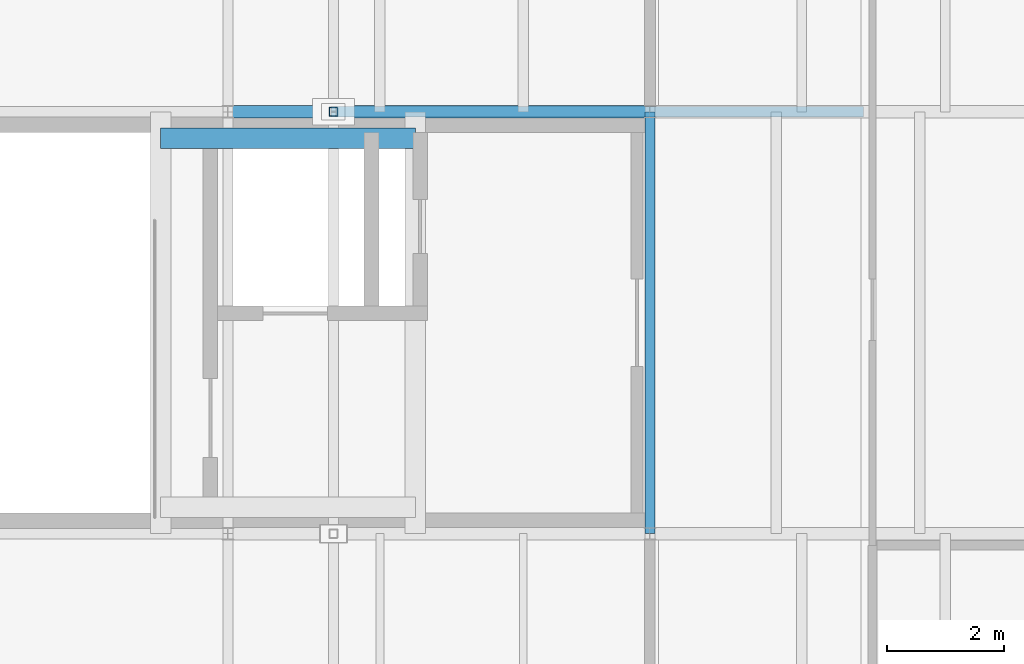
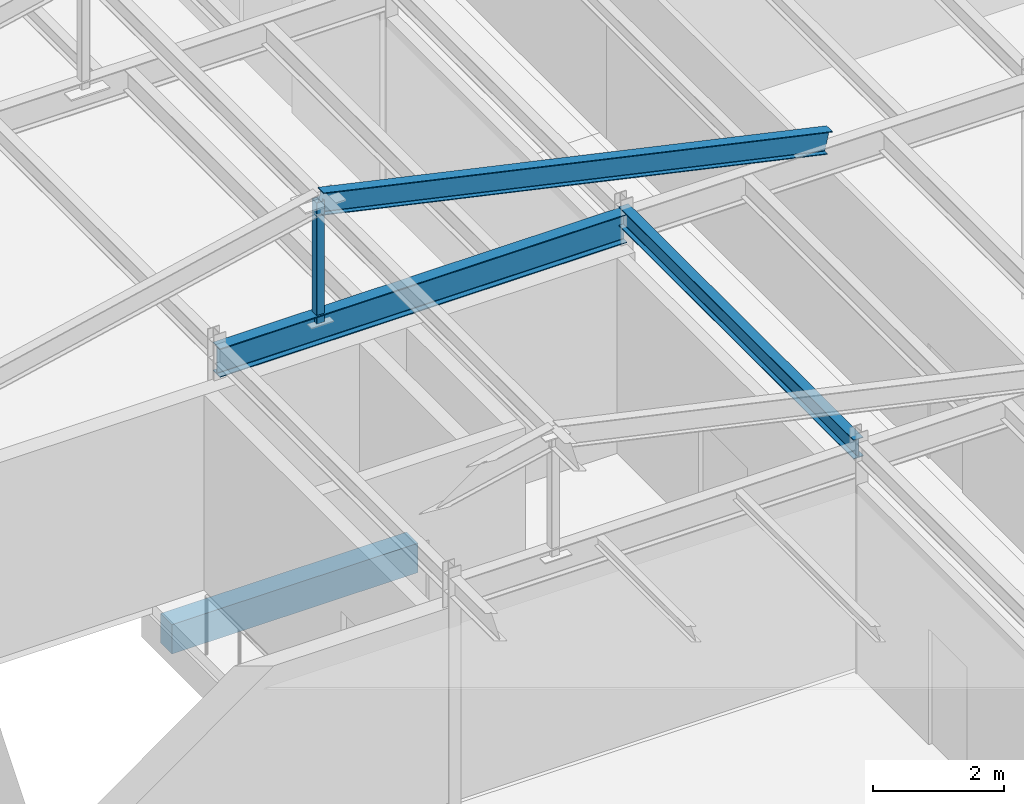
# One storey, part 16 of 43: 4 beams, 1 member.
"""IFC4 building model written with IfcOpenShell, lengths in metres."""

from ifc_helpers import new_model, si_unit, direction, frame, origin, origin_2d, place, context, subcontext, project, spatial, rectangle, hollow_rectangle, i_section, extrude, material, material_profile, profile_set, type_object, element, save


model = new_model("IFC4")

# Units and contexts
model_context = context("Model", 3, precision=1e-05, world=origin(), true_north=direction((0.0, 1.0)))
body_context = subcontext(model_context, "Body", "Model", "MODEL_VIEW")
ifc_project = project(units=[si_unit("LENGTHUNIT", "METRE"), si_unit("AREAUNIT", "SQUARE_METRE"), si_unit("VOLUMEUNIT", "CUBIC_METRE"), si_unit("PLANEANGLEUNIT", "RADIAN"), si_unit("MASSUNIT", "GRAM", prefix="KILO")], contexts=[model_context])

# Site, building, storey
site_placement = place(None, origin())
site = spatial("IfcSite", under=ifc_project, at=site_placement, CompositionType="ELEMENT")
building_placement = place(site_placement, origin())
building = spatial("IfcBuilding", under=site, at=building_placement, Name="Kemerveld Promenade Tramway Depot", CompositionType="ELEMENT")
storey_placement = place(building_placement, frame((0.0, 0.0, 18.89990234375)))
storey = spatial("IfcBuildingStorey", under=building, at=storey_placement, Name="L04", CompositionType="ELEMENT", Elevation=18.89990234375)

# Beams
ifc_material_1 = material(Name="Steel S355", Category="steel")
ifc_material_profile_1 = material_profile(ifc_material_1, i_section(OverallWidth=0.2099609375, OverallDepth=0.53662109375, WebThickness=0.0107421875, FlangeThickness=0.017333984375, FilletRadius=0.0126953125, at=origin_2d()), Name="533x210x101 UB")
ifc_profile_set_1 = profile_set([ifc_material_profile_1], Name="Steel S355")
beam_type_1 = type_object("IfcBeamType", Name="BM-G05", PredefinedType="BEAM", material=ifc_profile_set_1)
beam_1_placement = place(storey_placement, frame((7.199951171875, 21.60009765625, 3.94677734375), z_axis=(1.0, 0.0, 0.0), x_axis=(0.0, 1.0, 0.0)))
element("IfcBeam", 1, at=beam_1_placement, inside=storey, type_object=beam_type_1, Name="BMX-L04-02-03-D", PredefinedType="BEAM", context=body_context, shape_type="SweptSolid", body=[
    extrude(i_section(OverallWidth=0.2099609375, OverallDepth=0.53662109375, WebThickness=0.0107421875, FlangeThickness=0.017333984375, FilletRadius=0.0126953125, at=origin_2d()), origin(), (0.0, 0.0, 1.0), 7.199951171875),
])
ifc_material_profile_2 = material_profile(ifc_material_1, i_section(OverallWidth=0.1787109375, OverallDepth=0.409423828125, WebThickness=0.0087890625, FlangeThickness=0.014404296875, FilletRadius=0.01025390625, at=origin_2d()), Name="406x178x67 UB")
ifc_profile_set_2 = profile_set([ifc_material_profile_2], Name="Steel S355")
beam_type_2 = type_object("IfcBeamType", Name="BM-G07", PredefinedType="BEAM", material=ifc_profile_set_2)
beam_2_placement = place(storey_placement, frame((9.0, 21.60009765625, 6.275390625), z_axis=(0.976187060184, 0.0, -0.216930457819), x_axis=(0.0, 1.0, 0.0)))
element("IfcBeam", 2, at=beam_2_placement, inside=storey, type_object=beam_type_2, Name="RAF-V5-D-E", PredefinedType="BEAM", context=body_context, shape_type="SweptSolid", body=[
    extrude(i_section(OverallWidth=0.1787109375, OverallDepth=0.409423828125, WebThickness=0.0087890625, FlangeThickness=0.014404296875, FilletRadius=0.01025390625, at=origin_2d()), origin(), (0.0, 0.0, 1.0), 9.219482421875),
])
ifc_material_profile_3 = material_profile(ifc_material_1, i_section(OverallWidth=0.172119140625, OverallDepth=0.35791015625, WebThickness=0.008056640625, FlangeThickness=0.012939453125, FilletRadius=0.01025390625, at=origin_2d()), Name="356x171x57 UB")
ifc_profile_set_3 = profile_set([ifc_material_profile_3], Name="Steel S355")
beam_type_3 = type_object("IfcBeamType", Name="BM-G08", PredefinedType="BEAM", material=ifc_profile_set_3)
beam_3_placement = place(storey_placement, frame((14.39990234375, 14.39990234375, 4.14111328125), z_axis=(0.0, 1.0, 0.0), x_axis=(-1.0, 0.0, 0.0)))
element("IfcBeam", 3, at=beam_3_placement, inside=storey, type_object=beam_type_3, Name="BMY-L04-03-C-D", PredefinedType="BEAM", context=body_context, shape_type="SweptSolid", body=[
    extrude(i_section(OverallWidth=0.172119140625, OverallDepth=0.35791015625, WebThickness=0.008056640625, FlangeThickness=0.012939453125, FilletRadius=0.01025390625, at=origin_2d()), origin(), (0.0, 0.0, 1.0), 7.2001953125),
])
ifc_material_2 = material(Name="Concrete C40/50", Category="concrete")
ifc_material_profile_4 = material_profile(ifc_material_2, rectangle(XDim=0.35009765625, YDim=0.550048828125, at=origin_2d()), Name="RC-BM-350x550")
ifc_profile_set_4 = profile_set([ifc_material_profile_4], Name="Concrete C40/50")
beam_type_4 = type_object("IfcBeamType", Name="BM-RC3", PredefinedType="BEAM", material=ifc_profile_set_4)
beam_4_placement = place(storey_placement, frame((6.050048828125, 21.14990234375, -0.5), z_axis=(1.0, 0.0, 0.0), x_axis=(0.0, 1.0, 0.0)))
element("IfcBeam", 4, at=beam_4_placement, inside=storey, type_object=beam_type_4, Name="BM-COREX-C1-L04-N", PredefinedType="BEAM", context=body_context, shape_type="SweptSolid", body=[
    extrude(rectangle(XDim=0.35009765625, YDim=0.550048828125, at=origin_2d()), origin(), (0.0, 0.0, 1.0), 4.349853515625),
])

# Member
ifc_material_profile_5 = material_profile(ifc_material_1, hollow_rectangle(XDim=0.14990234375, YDim=0.14990234375, WallThickness=0.008056640625, InnerFilletRadius=0.00390625, OuterFilletRadius=0.011962890625, at=origin_2d()), Name="150x150x8.0 SHS")
ifc_profile_set_5 = profile_set([ifc_material_profile_5], Name="Steel S355")
member_type = type_object("IfcMemberType", Name="MB-TP2", PredefinedType="POST", material=ifc_profile_set_5)
member_placement = place(storey_placement, frame((9.0, 21.60009765625, 4.050048828125), z_axis=(0.0, 0.0, 1.0), x_axis=(1.0, 0.0, 0.0)))
element("IfcMember", 5, at=member_placement, inside=storey, type_object=member_type, Name="POST-RDG-V5-D", PredefinedType="POST", context=body_context, shape_type="SweptSolid", body=[
    extrude(hollow_rectangle(XDim=0.14990234375, YDim=0.14990234375, WallThickness=0.008056640625, InnerFilletRadius=0.00390625, OuterFilletRadius=0.011962890625, at=origin_2d()), origin(), (0.0, 0.0, 1.0), 2.265380859375),
])

save(model, "model.ifc")
